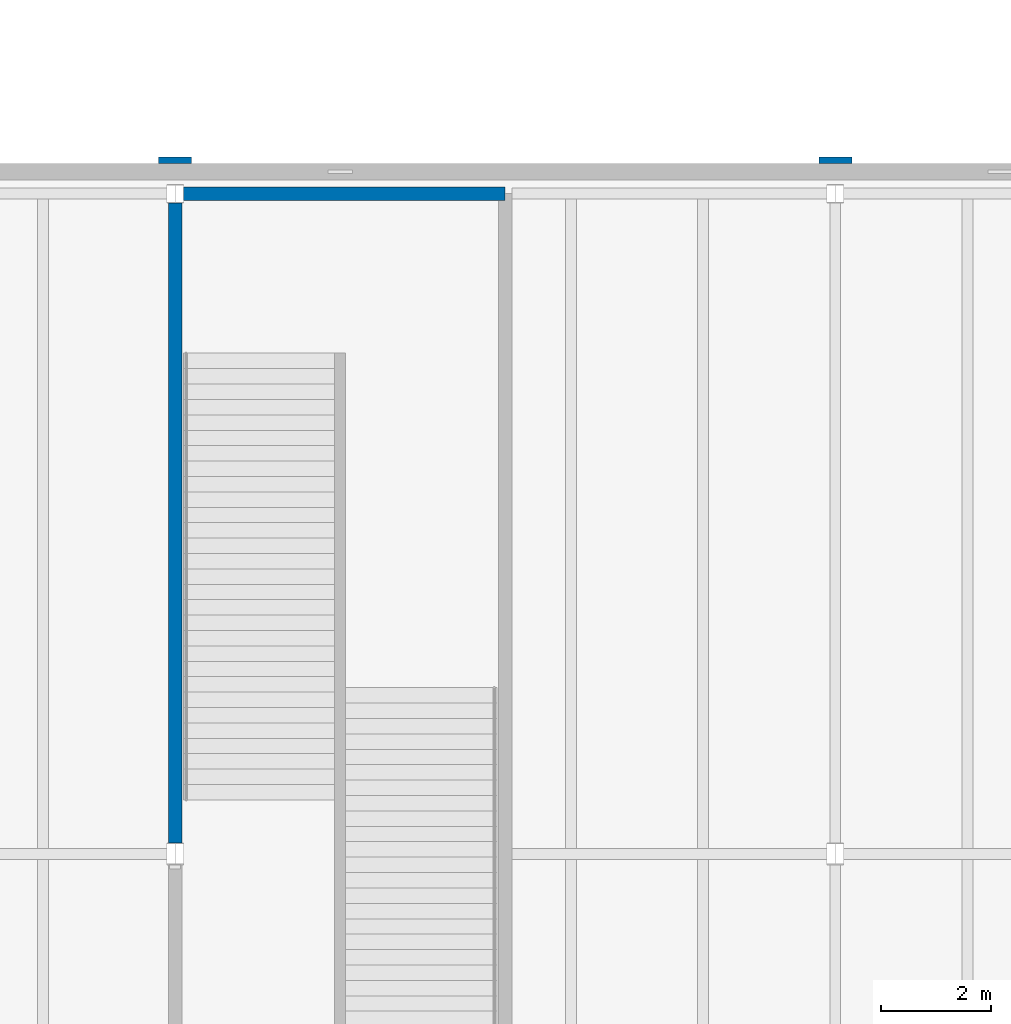
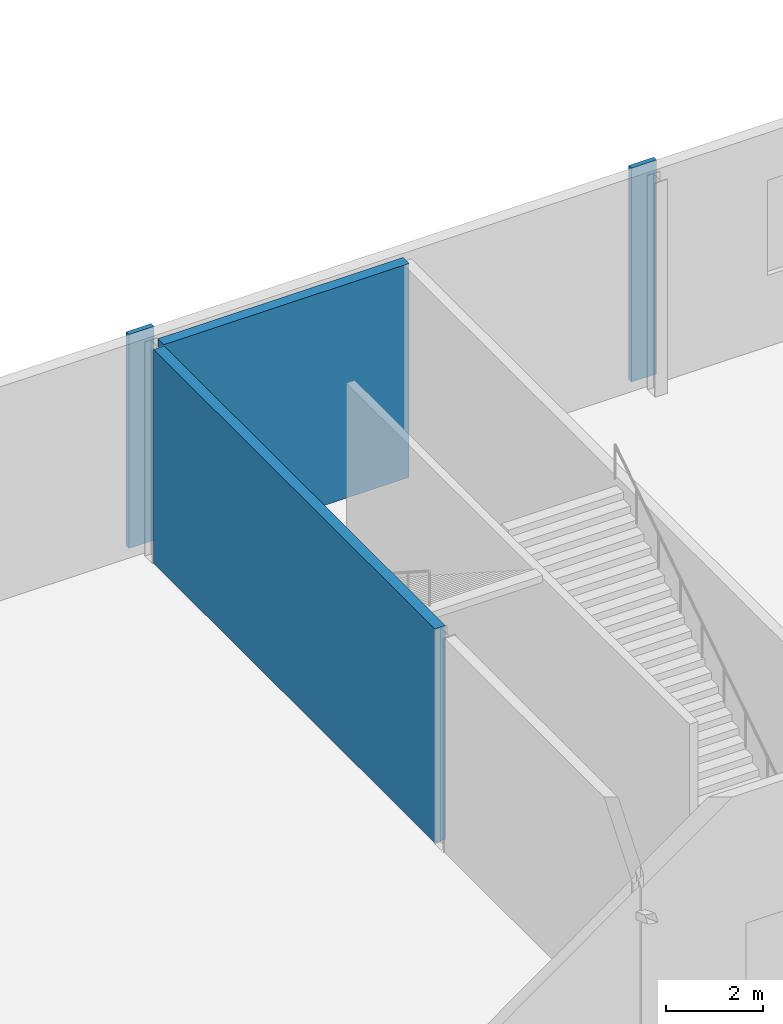
# One storey, part 108 of 170: 4 walls.
"""IFC4 building model written with IfcOpenShell, lengths in metres."""

from ifc_helpers import new_model, si_unit, direction, frame, frame_2d, origin, place, context, subcontext, project, spatial, rectangle, extrude, material, layer, layer_set, type_object, element, save


model = new_model("IFC4")

# Units and contexts
model_context = context("Model", 3, precision=1e-05, world=origin(), true_north=direction((0.0, 1.0)))
body_context = subcontext(model_context, "Body", "Model", "MODEL_VIEW")
ifc_project = project(units=[si_unit("LENGTHUNIT", "METRE"), si_unit("AREAUNIT", "SQUARE_METRE"), si_unit("VOLUMEUNIT", "CUBIC_METRE"), si_unit("PLANEANGLEUNIT", "RADIAN"), si_unit("MASSUNIT", "GRAM", prefix="KILO")], contexts=[model_context])

# Site, building, storey
site_placement = place(None, origin())
site = spatial("IfcSite", under=ifc_project, at=site_placement, CompositionType="ELEMENT")
building_placement = place(site_placement, origin())
building = spatial("IfcBuilding", under=site, at=building_placement, Name="Ravi Spectrum Wholesale Market", CompositionType="ELEMENT")
storey_placement = place(building_placement, frame((0.0, 0.0, 5.39990234375)))
storey = spatial("IfcBuildingStorey", under=building, at=storey_placement, Name="L01", CompositionType="ELEMENT", Elevation=5.39990234375)

# Walls
ifc_material_1 = material(Name="Facing brickwork", Category="masonry")
ifc_layer_1 = layer(ifc_material_1, 0.114990234375)
ifc_layer_set_1 = layer_set([ifc_layer_1], Name="Facing brickwork")
wall_type_1 = type_object("IfcWallType", Name="Brick pilaster 115", PredefinedType="SOLIDWALL", material=ifc_layer_set_1)
for number, where, z_axis, x_axis, name in (
    (1, (258.300048828125, 66.607421875, 0.0), (0.0, 0.0, 1.0), (-1.0, 0.0, 0.0), "CS-WL-L01-072"),
    (2, (246.300048828125, 66.607421875, 0.0), (0.0, 0.0, 1.0), (-1.0, 0.0, 0.0), "CS-WL-L01-073"),
):
    element("IfcWall", number, at=place(storey_placement, frame(where, z_axis=z_axis, x_axis=x_axis)), inside=storey, type_object=wall_type_1, Name=name, PredefinedType="SOLIDWALL", context=body_context, shape_type="SweptSolid", body=[
        extrude(rectangle(XDim=0.60009765625, YDim=0.114990234375, at=frame_2d((0.300048828125, 0.0))), origin(), (0.0, 0.0, 1.0), 5.400146484375),
    ])
ifc_material_2 = material(Name="Concrete C35/45", Category="concrete")
ifc_layer_2 = layer(ifc_material_2, 0.25)
ifc_layer_set_2 = layer_set([ifc_layer_2], Name="Concrete C35/45")
wall_type_2 = type_object("IfcWallType", Name="Concrete core wall 250", PredefinedType="SHEAR", material=ifc_layer_set_2)
wall_1_placement = place(storey_placement, frame((246.14990234375, 66.0, 0.0), z_axis=(0.0, 0.0, 1.0), x_axis=(1.0, 0.0, 0.0)))
element("IfcWall", 3, at=wall_1_placement, inside=storey, type_object=wall_type_2, Name="Stair core wall Stair S-CS-5", PredefinedType="SHEAR", context=body_context, shape_type="SweptSolid", body=[
    extrude(rectangle(XDim=5.85009765625, YDim=0.25, at=frame_2d((2.925048828125, 0.0))), origin(), (0.0, 0.0, 1.0), 5.400146484375),
])
wall_2_placement = place(storey_placement, frame((246.0, 54.199951171875, 0.0), z_axis=(0.0, 0.0, 1.0), x_axis=(0.0, 1.0, 0.0)))
element("IfcWall", 4, at=wall_2_placement, inside=storey, type_object=wall_type_2, Name="Stair core wall Stair S-CS-5", PredefinedType="SHEAR", context=body_context, shape_type="SweptSolid", body=[
    extrude(rectangle(XDim=11.630126953125, YDim=0.25, at=frame_2d((5.81494140625, 0.0))), origin(), (0.0, 0.0, 1.0), 5.400146484375),
])

save(model, "model.ifc")
